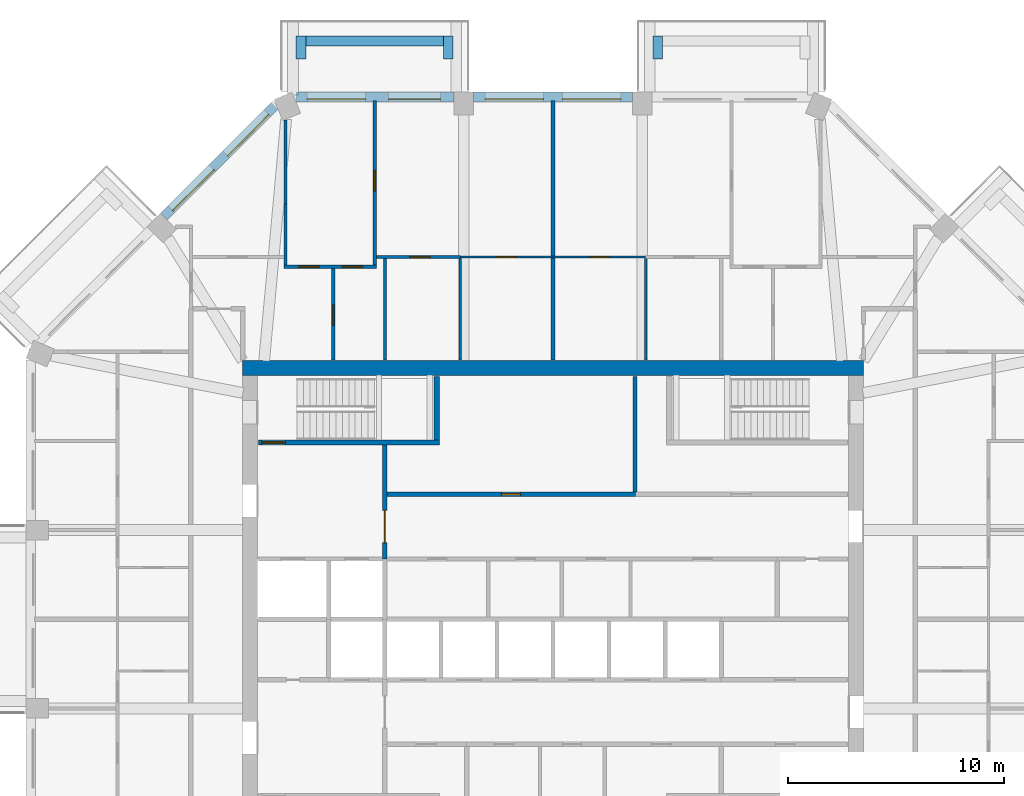
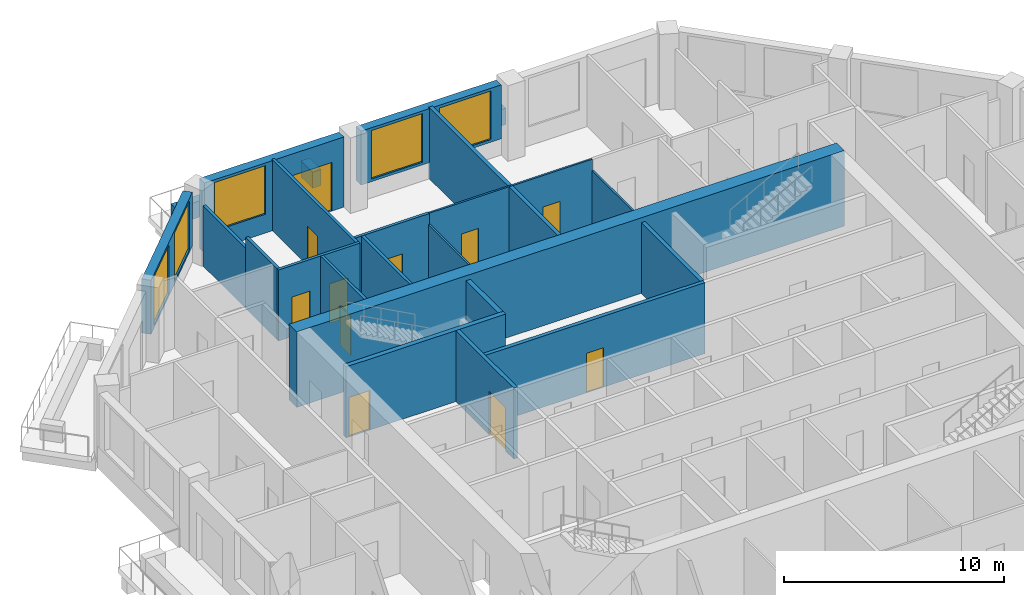
# One storey, part 8 of 12: 25 walls, 11 doors, 5 windows, 16 openings.
"""IFC4 building model written with IfcOpenShell, lengths in metres."""

from ifc_helpers import new_model, si_unit, direction, frame, frame_2d, origin, place, context, subcontext, project, spatial, rectangle, extrude, material, layer, layer_set, type_object, element, fill, save


model = new_model("IFC4")

# Units and contexts
model_context = context("Model", 3, precision=1e-05, world=origin(), true_north=direction((0.0, 1.0)))
body_context = subcontext(model_context, "Body", "Model", "MODEL_VIEW")
ifc_project = project(units=[si_unit("LENGTHUNIT", "METRE"), si_unit("AREAUNIT", "SQUARE_METRE"), si_unit("VOLUMEUNIT", "CUBIC_METRE"), si_unit("PLANEANGLEUNIT", "RADIAN"), si_unit("MASSUNIT", "GRAM", prefix="KILO")], contexts=[model_context])

# Site, building, storey
site_placement = place(None, origin())
site = spatial("IfcSite", under=ifc_project, at=site_placement, CompositionType="ELEMENT")
building_placement = place(site_placement, origin())
building = spatial("IfcBuilding", under=site, at=building_placement, Name="Msitu Wima Residences", CompositionType="ELEMENT")
storey_placement = place(building_placement, frame((0.0, 0.0, 183.300048828125)))
storey = spatial("IfcBuildingStorey", under=building, at=storey_placement, Name="L42", CompositionType="ELEMENT", Elevation=183.300048828125)

# Walls
ifc_material_1 = material(Name="Facing brick")
ifc_layer_1 = layer(ifc_material_1, 0.06494140625, Name="Facing brick")
ifc_material_2 = material(Name="Concrete C40/50", Category="concrete")
ifc_layer_2 = layer(ifc_material_2, 0.156005859375, Name="Concrete C40/50")
ifc_material_3 = material(Name="Waterproofing membrane")
ifc_layer_3 = layer(ifc_material_3, 0.00390625, Name="Waterproofing membrane")
ifc_material_4 = material(Name="Planting soil and planting")
ifc_layer_4 = layer(ifc_material_4, 0.22509765625, Name="Planting soil and planting")
ifc_layer_set_1 = layer_set([ifc_layer_1, ifc_layer_2, ifc_layer_3, ifc_layer_4], Name="Concrete C40/50")
wall_type_1 = type_object("IfcWallType", Name="Balcony planter PLANTER PL450", PredefinedType="USERDEFINED", material=ifc_layer_set_1)
wall_1_placement = place(storey_placement, frame((4.8623046875, 26.0, 0.0), z_axis=(0.0, 0.0, 1.0), x_axis=(0.0, 1.0, 0.0)))
element("IfcWall", 1, at=wall_1_placement, inside=storey, type_object=wall_type_1, Name="Balcony planter N0 L42", ObjectType="PLANTER", PredefinedType="USERDEFINED", context=body_context, shape_type="SweptSolid", body=[
    extrude(rectangle(XDim=1.050048828125, YDim=0.449951171875, at=frame_2d((0.52490234375, 0.0))), origin(), (0.0, 0.0, 1.0), 0.89990234375),
])
wall_2_placement = place(storey_placement, frame((-5.087158203125, 26.824951171875, 0.0), z_axis=(0.0, 0.0, 1.0), x_axis=(-1.0, 0.0, 0.0)))
element("IfcWall", 2, at=wall_2_placement, inside=storey, type_object=wall_type_1, Name="Balcony planter N2 L42", ObjectType="PLANTER", PredefinedType="USERDEFINED", context=body_context, shape_type="SweptSolid", body=[
    extrude(rectangle(XDim=6.37451171875, YDim=0.449951171875, at=frame_2d((3.187255859375, 0.0))), origin(), (0.0, 0.0, 1.0), 0.89990234375),
])
for number, where, z_axis, x_axis, name in (
    (3, (-4.8623046875, 26.0, 0.0), (0.0, 0.0, 1.0), (0.0, 1.0, 0.0), "Balcony planter N2 L42"),
    (4, (-11.686767578125, 26.0, 0.0), (0.0, 0.0, 1.0), (0.0, 1.0, 0.0), "Balcony planter N2 L42"),
):
    element("IfcWall", number, at=place(storey_placement, frame(where, z_axis=z_axis, x_axis=x_axis)), inside=storey, type_object=wall_type_1, Name=name, ObjectType="PLANTER", PredefinedType="USERDEFINED", context=body_context, shape_type="SweptSolid", body=[
        extrude(rectangle(XDim=1.050048828125, YDim=0.449951171875, at=frame_2d((0.52490234375, 0.0))), origin(), (0.0, 0.0, 1.0), 0.89990234375),
    ])

# Wall, openings, windows
ifc_material_5 = material(Name="Brick (red buff mix)", Category="masonry")
ifc_layer_5 = layer(ifc_material_5, 0.449951171875)
ifc_layer_set_2 = layer_set([ifc_layer_5], Name="Brick (red buff mix)")
wall_type_2 = type_object("IfcWallType", Name="Brick infill wall BW450", PredefinedType="SOLIDWALL", material=ifc_layer_set_2)
wall_3_placement = place(storey_placement, frame((3.687255859375, 24.22509765625, 0.89990234375), z_axis=(0.0, 0.0, 1.0), x_axis=(-1.0, 0.0, 0.0)))
wall_3 = element("IfcWall", 5, at=wall_3_placement, inside=storey, type_object=wall_type_2, Name="Brick infill wall L42 N1", PredefinedType="SOLIDWALL", context=body_context, shape_type="SweptSolid", body=[
    extrude(rectangle(XDim=7.37451171875, YDim=0.449951171875, at=frame_2d((3.687255859375, 0.0))), origin(), (0.0, 0.0, 1.0), 3.0),
])
opening_1_placement = place(wall_3_placement, frame((0.537353515625, 0.0, 0.14990234375)))
opening_1 = element("IfcOpeningElement", 6, at=opening_1_placement, cuts=wall_3, Name="Opening W40-42.007", PredefinedType="OPENING", context=body_context, shape_type="SweptSolid", body=[
    extrude(rectangle(XDim=2.699951171875, YDim=2.699951171875, at=frame_2d((1.35009765625, 1.35009765625))), frame((0.0, 0.23486328125, 0.0), z_axis=(0.0, -1.0, 0.0), x_axis=(1.0, 0.0, 0.0)), (0.0, 0.0, 1.0), 0.469970703125),
])
opening_2_placement = place(wall_3_placement, frame((4.13720703125, 0.0, 0.14990234375)))
opening_2 = element("IfcOpeningElement", 7, at=opening_2_placement, cuts=wall_3, Name="Opening W40-42.008", PredefinedType="OPENING", context=body_context, shape_type="SweptSolid", body=[
    extrude(rectangle(XDim=2.699951171875, YDim=2.699951171875, at=frame_2d((1.35009765625, 1.35009765625))), frame((0.0, 0.23486328125, 0.0), z_axis=(0.0, -1.0, 0.0), x_axis=(1.0, 0.0, 0.0)), (0.0, 0.0, 1.0), 0.469970703125),
])
ifc_material_6 = material(Name="Anodised aluminium, bronze finish, clear low-emissivity double glazing", Category="aluminium")
window_type = type_object("IfcWindowType", Name="Window W2700x2700", PartitioningType="DOUBLE_PANEL_VERTICAL", PredefinedType="WINDOW", material=ifc_material_6)
window_1_placement = place(opening_1_placement, origin())
window_1 = element("IfcWindow", 8, at=window_1_placement, inside=storey, type_object=window_type, Name="Window L42 N1.1", OverallHeight=2.699951171875, OverallWidth=2.699951171875, PartitioningType="SINGLE_PANEL", PredefinedType="WINDOW", context=body_context, shape_type="SweptSolid", body=[
    extrude(rectangle(XDim=2.699951171875, YDim=2.699951171875, at=frame_2d((1.35009765625, 1.35009765625))), frame((0.0, 0.135009765625, 0.0), z_axis=(0.0, -1.0, 0.0), x_axis=(1.0, 0.0, 0.0)), (0.0, 0.0, 1.0), 0.06005859375),
])
fill(opening_1, window_1)
window_2_placement = place(opening_2_placement, origin())
window_2 = element("IfcWindow", 9, at=window_2_placement, inside=storey, type_object=window_type, Name="Window L42 N1.2", OverallHeight=2.699951171875, OverallWidth=2.699951171875, PartitioningType="SINGLE_PANEL", PredefinedType="WINDOW", context=body_context, shape_type="SweptSolid", body=[
    extrude(rectangle(XDim=2.699951171875, YDim=2.699951171875, at=frame_2d((1.35009765625, 1.35009765625))), frame((0.0, 0.135009765625, 0.0), z_axis=(0.0, -1.0, 0.0), x_axis=(1.0, 0.0, 0.0)), (0.0, 0.0, 1.0), 0.06005859375),
])
fill(opening_2, window_2)

# Wall, openings, door, window
wall_4_placement = place(storey_placement, frame((-4.587158203125, 24.22509765625, 0.0), z_axis=(0.0, 0.0, 1.0), x_axis=(-1.0, 0.0, 0.0)))
wall_4 = element("IfcWall", 10, at=wall_4_placement, inside=storey, type_object=wall_type_2, Name="Brick infill wall L42 N2", PredefinedType="SOLIDWALL", context=body_context, shape_type="SweptSolid", body=[
    extrude(rectangle(XDim=7.337646484375, YDim=0.449951171875, at=frame_2d((3.6689453125, 0.0))), origin(), (0.0, 0.0, 1.0), 3.89990234375),
])
opening_3_placement = place(wall_4_placement, frame((0.63427734375, 0.0, 0.0)))
opening_3 = element("IfcOpeningElement", 11, at=opening_3_placement, cuts=wall_4, Name="Opening D40-42.003", PredefinedType="OPENING", context=body_context, shape_type="SweptSolid", body=[
    extrude(rectangle(XDim=2.39990234375, YDim=2.699951171875, at=frame_2d((1.199951171875, 1.35009765625))), frame((0.0, 0.23486328125, 0.0), z_axis=(0.0, -1.0, 0.0), x_axis=(1.0, 0.0, 0.0)), (0.0, 0.0, 1.0), 0.469970703125),
])
opening_4_placement = place(wall_4_placement, frame((4.11865234375, 0.0, 1.050048828125)))
opening_4 = element("IfcOpeningElement", 12, at=opening_4_placement, cuts=wall_4, Name="Opening W40-42.009", PredefinedType="OPENING", context=body_context, shape_type="SweptSolid", body=[
    extrude(rectangle(XDim=2.699951171875, YDim=2.699951171875, at=frame_2d((1.35009765625, 1.35009765625))), frame((0.0, 0.23486328125, 0.0), z_axis=(0.0, -1.0, 0.0), x_axis=(1.0, 0.0, 0.0)), (0.0, 0.0, 1.0), 0.469970703125),
])
door_type_1 = type_object("IfcDoorType", Name="Balcony door D2400x2700", OperationType="SLIDING_TO_LEFT", PredefinedType="DOOR", material=ifc_material_6)
door_1_placement = place(opening_3_placement, origin())
door_1 = element("IfcDoor", 13, at=door_1_placement, inside=storey, type_object=door_type_1, Name="Balcony door L42 N2", OperationType="SINGLE_SWING_LEFT", OverallHeight=2.699951171875, OverallWidth=2.39990234375, PredefinedType="DOOR", context=body_context, shape_type="SweptSolid", body=[
    extrude(rectangle(XDim=2.39990234375, YDim=2.699951171875, at=frame_2d((1.199951171875, 1.35009765625))), frame((0.0, 0.1298828125, 0.0), z_axis=(0.0, -1.0, 0.0), x_axis=(1.0, 0.0, 0.0)), (0.0, 0.0, 1.0), 0.050048828125),
])
fill(opening_3, door_1)
window_3_placement = place(opening_4_placement, origin())
window_3 = element("IfcWindow", 14, at=window_3_placement, inside=storey, type_object=window_type, Name="Window L42 N2.2", OverallHeight=2.699951171875, OverallWidth=2.699951171875, PartitioningType="SINGLE_PANEL", PredefinedType="WINDOW", context=body_context, shape_type="SweptSolid", body=[
    extrude(rectangle(XDim=2.699951171875, YDim=2.699951171875, at=frame_2d((1.35009765625, 1.35009765625))), frame((0.0, 0.135009765625, 0.0), z_axis=(0.0, -1.0, 0.0), x_axis=(1.0, 0.0, 0.0)), (0.0, 0.0, 1.0), 0.06005859375),
])
fill(opening_4, window_3)

# Wall, openings, windows
wall_5_placement = place(storey_placement, frame((-12.915283203125, 23.814697265625, 0.89990234375), z_axis=(0.0, 0.0, 1.0), x_axis=(-0.707106781187, -0.707106781187, 0.0)))
wall_5 = element("IfcWall", 15, at=wall_5_placement, inside=storey, type_object=wall_type_2, Name="Brick infill wall L42 NW0", PredefinedType="SOLIDWALL", context=body_context, shape_type="SweptSolid", body=[
    extrude(rectangle(XDim=7.257080078125, YDim=0.449951171875, at=frame_2d((3.62841796875, 0.0))), origin(), (0.0, 0.0, 1.0), 3.0),
])
opening_5_placement = place(wall_5_placement, frame((0.478515625, 0.0, 0.14990234375)))
opening_5 = element("IfcOpeningElement", 16, at=opening_5_placement, cuts=wall_5, Name="Opening W40-42.013", PredefinedType="OPENING", context=body_context, shape_type="SweptSolid", body=[
    extrude(rectangle(XDim=2.699951171875, YDim=2.699951171875, at=frame_2d((1.35009765625, 1.35009765625))), frame((0.0, 0.23486328125, 0.0), z_axis=(0.0, -1.0, 0.0), x_axis=(1.0, 0.0, 0.0)), (0.0, 0.0, 1.0), 0.469970703125),
])
opening_6_placement = place(wall_5_placement, frame((4.07861328125, 0.0, 0.14990234375)))
opening_6 = element("IfcOpeningElement", 17, at=opening_6_placement, cuts=wall_5, Name="Opening W40-42.014", PredefinedType="OPENING", context=body_context, shape_type="SweptSolid", body=[
    extrude(rectangle(XDim=2.699951171875, YDim=2.699951171875, at=frame_2d((1.35009765625, 1.35009765625))), frame((0.0, 0.23486328125, 0.0), z_axis=(0.0, -1.0, 0.0), x_axis=(1.0, 0.0, 0.0)), (0.0, 0.0, 1.0), 0.469970703125),
])
window_4_placement = place(opening_5_placement, origin())
window_4 = element("IfcWindow", 18, at=window_4_placement, inside=storey, type_object=window_type, Name="Window L42 NW0.1", OverallHeight=2.699951171875, OverallWidth=2.699951171875, PartitioningType="SINGLE_PANEL", PredefinedType="WINDOW", context=body_context, shape_type="SweptSolid", body=[
    extrude(rectangle(XDim=2.699951171875, YDim=2.699951171875, at=frame_2d((1.35009765625, 1.35009765625))), frame((0.0, 0.135009765625, 0.0), z_axis=(0.0, -1.0, 0.0), x_axis=(1.0, 0.0, 0.0)), (0.0, 0.0, 1.0), 0.06005859375),
])
fill(opening_5, window_4)
window_5_placement = place(opening_6_placement, origin())
window_5 = element("IfcWindow", 19, at=window_5_placement, inside=storey, type_object=window_type, Name="Window L42 NW0.2", OverallHeight=2.699951171875, OverallWidth=2.699951171875, PartitioningType="SINGLE_PANEL", PredefinedType="WINDOW", context=body_context, shape_type="SweptSolid", body=[
    extrude(rectangle(XDim=2.699951171875, YDim=2.699951171875, at=frame_2d((1.35009765625, 1.35009765625))), frame((0.0, 0.135009765625, 0.0), z_axis=(0.0, -1.0, 0.0), x_axis=(1.0, 0.0, 0.0)), (0.0, 0.0, 1.0), 0.06005859375),
])
fill(opening_6, window_5)

# Wall
ifc_material_7 = material(Name="Concrete C60/75", Category="concrete")
ifc_layer_6 = layer(ifc_material_7, 0.699951171875)
ifc_layer_set_3 = layer_set([ifc_layer_6], Name="Concrete C60/75")
wall_type_3 = type_object("IfcWallType", Name="Core wall CW700 C60/75", PredefinedType="SHEAR", material=ifc_layer_set_3)
wall_6_placement = place(storey_placement, frame((-14.39990234375, 11.64990234375, 0.0), z_axis=(0.0, 0.0, 1.0), x_axis=(1.0, 0.0, 0.0)))
element("IfcWall", 20, at=wall_6_placement, inside=storey, type_object=wall_type_3, Name="Core wall", PredefinedType="SHEAR", context=body_context, shape_type="SweptSolid", body=[
    extrude(rectangle(XDim=28.7998046875, YDim=0.699951171875, at=frame_2d((14.39990234375, 0.0))), origin(), (0.0, 0.0, 1.0), 4.199951171875),
])

# Wall, opening, door
ifc_material_8 = material(Name="Plaster")
ifc_layer_7 = layer(ifc_material_8, 0.011962890625, Name="Plaster")
ifc_material_9 = material(Name="Concrete blockwork", Category="masonry")
ifc_layer_8 = layer(ifc_material_9, 0.176025390625, Name="Concrete blockwork")
ifc_layer_9 = layer(ifc_material_8, 0.011962890625, Name="Plaster")
ifc_layer_set_4 = layer_set([ifc_layer_7, ifc_layer_8, ifc_layer_9], Name="Concrete blockwork")
wall_type_4 = type_object("IfcWallType", Name="Corridor wall FW200", PredefinedType="PARTITIONING", material=ifc_layer_set_4)
wall_7_placement = place(storey_placement, frame((-7.800048828125, 2.800048828125, 0.0), z_axis=(0.0, 0.0, 1.0), x_axis=(0.0, 1.0, 0.0)))
wall_7 = element("IfcWall", 21, at=wall_7_placement, inside=storey, type_object=wall_type_4, Name="Corridor wall", PredefinedType="PARTITIONING", context=body_context, shape_type="SweptSolid", body=[
    extrude(rectangle(XDim=5.27490234375, YDim=0.199951171875, at=frame_2d((2.637451171875, 0.0))), origin(), (0.0, 0.0, 1.0), 3.949951171875),
])
opening_7_placement = place(wall_7_placement, frame((0.75, 0.0, 0.0)))
opening_7 = element("IfcOpeningElement", 22, at=opening_7_placement, cuts=wall_7, Name="Opening D40-42.069", PredefinedType="OPENING", context=body_context, shape_type="SweptSolid", body=[
    extrude(rectangle(XDim=1.5, YDim=2.39990234375, at=frame_2d((0.75, 1.199951171875))), frame((0.0, 0.10986328125, 0.0), z_axis=(0.0, -1.0, 0.0), x_axis=(1.0, 0.0, 0.0)), (0.0, 0.0, 1.0), 0.219970703125),
])
ifc_material_10 = material(Name="Steel framed glazed door, fire resisting", Category="steel")
door_type_2 = type_object("IfcDoorType", Name="Lobby door D07 1500x2400", OperationType="DOUBLE_DOOR_SINGLE_SWING", PredefinedType="DOOR", material=ifc_material_10)
door_2_placement = place(opening_7_placement, origin())
door_2 = element("IfcDoor", 23, at=door_2_placement, inside=storey, type_object=door_type_2, Name="Lobby door", OperationType="DOUBLE_DOOR_SINGLE_SWING", OverallHeight=2.39990234375, OverallWidth=1.5, PredefinedType="DOOR", context=body_context, shape_type="SweptSolid", body=[
    extrude(rectangle(XDim=1.5, YDim=2.39990234375, at=frame_2d((0.75, 1.199951171875))), frame((0.0, 0.02490234375, 0.0), z_axis=(0.0, -1.0, 0.0), x_axis=(1.0, 0.0, 0.0)), (0.0, 0.0, 1.0), 0.050048828125),
])
fill(opening_7, door_2)

wall_8_placement = place(storey_placement, frame((-7.699951171875, 5.800048828125, 0.0), z_axis=(0.0, 0.0, 1.0), x_axis=(1.0, 0.0, 0.0)))
wall_8 = element("IfcWall", 24, at=wall_8_placement, inside=storey, type_object=wall_type_4, Name="Corridor wall", PredefinedType="PARTITIONING", context=body_context, shape_type="SweptSolid", body=[
    extrude(rectangle(XDim=11.52001953125, YDim=0.199951171875, at=frame_2d((5.760009765625, 0.0))), origin(), (0.0, 0.0, 1.0), 3.949951171875),
])
opening_8_placement = place(wall_8_placement, frame((5.300048828125, 0.0, 0.0)))
opening_8 = element("IfcOpeningElement", 25, at=opening_8_placement, cuts=wall_8, Name="Opening D40-42.072", PredefinedType="OPENING", context=body_context, shape_type="SweptSolid", body=[
    extrude(rectangle(XDim=0.89990234375, YDim=2.199951171875, at=frame_2d((0.449951171875, 1.10009765625))), frame((0.0, 0.10986328125, 0.0), z_axis=(0.0, -1.0, 0.0), x_axis=(1.0, 0.0, 0.0)), (0.0, 0.0, 1.0), 0.219970703125),
])
ifc_material_11 = material(Name="Timber flush door", Category="wood")
door_type_3 = type_object("IfcDoorType", Name="Service door D05 900x2200", OperationType="SINGLE_SWING_LEFT", PredefinedType="DOOR", material=ifc_material_11)
door_3_placement = place(opening_8_placement, origin())
door_3 = element("IfcDoor", 26, at=door_3_placement, inside=storey, type_object=door_type_3, Name="Service door", OperationType="SINGLE_SWING_LEFT", OverallHeight=2.199951171875, OverallWidth=0.89990234375, PredefinedType="DOOR", context=body_context, shape_type="SweptSolid", body=[
    extrude(rectangle(XDim=0.89990234375, YDim=2.199951171875, at=frame_2d((0.449951171875, 1.10009765625))), frame((0.0, 0.02490234375, 0.0), z_axis=(0.0, -1.0, 0.0), x_axis=(1.0, 0.0, 0.0)), (0.0, 0.0, 1.0), 0.050048828125),
])
fill(opening_8, door_3)

# Walls
ifc_layer_10 = layer(ifc_material_8, 0.011962890625, Name="Plaster")
ifc_layer_11 = layer(ifc_material_9, 0.1259765625, Name="Concrete blockwork")
ifc_layer_12 = layer(ifc_material_8, 0.011962890625, Name="Plaster")
ifc_layer_set_5 = layer_set([ifc_layer_10, ifc_layer_11, ifc_layer_12], Name="Concrete blockwork")
wall_type_5 = type_object("IfcWallType", Name="Partition PW150", PredefinedType="PARTITIONING", material=ifc_layer_set_5)
wall_9_placement = place(storey_placement, frame((-12.411865234375, 16.425048828125, 0.0), z_axis=(0.0, 0.0, 1.0), x_axis=(0.0, 1.0, 0.0)))
element("IfcWall", 27, at=wall_9_placement, inside=storey, type_object=wall_type_5, Name="Partition", PredefinedType="PARTITIONING", context=body_context, shape_type="SweptSolid", body=[
    extrude(rectangle(XDim=2.845458984375, YDim=0.14990234375, at=frame_2d((1.4228515625, 0.0))), origin(), (0.0, 0.0, 1.0), 3.949951171875),
])
wall_10_placement = place(storey_placement, frame((-12.411865234375, 19.2705078125, 0.0), z_axis=(0.0, 0.0, 1.0), x_axis=(0.0, 1.0, 0.0)))
element("IfcWall", 28, at=wall_10_placement, inside=storey, type_object=wall_type_5, Name="Partition", PredefinedType="PARTITIONING", context=body_context, shape_type="SweptSolid", body=[
    extrude(rectangle(XDim=3.8984375, YDim=0.14990234375, at=frame_2d((1.94921875, 0.0))), origin(), (0.0, 0.0, 1.0), 3.349853515625),
])

# Wall, openings, doors
wall_11_placement = place(storey_placement, frame((-12.48681640625, 16.35009765625, 0.0), z_axis=(0.0, 0.0, 1.0), x_axis=(1.0, 0.0, 0.0)))
wall_11 = element("IfcWall", 29, at=wall_11_placement, inside=storey, type_object=wall_type_5, Name="Partition", PredefinedType="PARTITIONING", context=body_context, shape_type="SweptSolid", body=[
    extrude(rectangle(XDim=4.287353515625, YDim=0.14990234375, at=frame_2d((2.1435546875, 0.0))), origin(), (0.0, 0.0, 1.0), 3.949951171875),
])
opening_9_placement = place(wall_11_placement, frame((0.699951171875, 0.0, 0.0)))
opening_9 = element("IfcOpeningElement", 30, at=opening_9_placement, cuts=wall_11, Name="Opening D40-42.031", PredefinedType="OPENING", context=body_context, shape_type="SweptSolid", body=[
    extrude(rectangle(XDim=0.949951171875, YDim=2.199951171875, at=frame_2d((0.47509765625, 1.10009765625))), frame((0.0, 0.0849609375, 0.0), z_axis=(0.0, -1.0, 0.0), x_axis=(1.0, 0.0, 0.0)), (0.0, 0.0, 1.0), 0.169921875),
])
opening_10_placement = place(wall_11_placement, frame((2.699951171875, 0.0, 0.0)))
opening_10 = element("IfcOpeningElement", 31, at=opening_10_placement, cuts=wall_11, Name="Opening D40-42.030", PredefinedType="OPENING", context=body_context, shape_type="SweptSolid", body=[
    extrude(rectangle(XDim=0.949951171875, YDim=2.199951171875, at=frame_2d((0.47509765625, 1.10009765625))), frame((0.0, 0.0849609375, 0.0), z_axis=(0.0, -1.0, 0.0), x_axis=(1.0, 0.0, 0.0)), (0.0, 0.0, 1.0), 0.169921875),
])
door_type_4 = type_object("IfcDoorType", Name="Room door D12 950x2200", OperationType="SINGLE_SWING_LEFT", PredefinedType="DOOR", material=ifc_material_11)
door_4_placement = place(opening_9_placement, origin())
door_4 = element("IfcDoor", 32, at=door_4_placement, inside=storey, type_object=door_type_4, Name="Room door", OperationType="SINGLE_SWING_LEFT", OverallHeight=2.199951171875, OverallWidth=0.949951171875, PredefinedType="DOOR", context=body_context, shape_type="SweptSolid", body=[
    extrude(rectangle(XDim=0.949951171875, YDim=2.199951171875, at=frame_2d((0.47509765625, 1.10009765625))), frame((0.0, 0.02490234375, 0.0), z_axis=(0.0, -1.0, 0.0), x_axis=(1.0, 0.0, 0.0)), (0.0, 0.0, 1.0), 0.050048828125),
])
fill(opening_9, door_4)
door_5_placement = place(opening_10_placement, origin())
door_5 = element("IfcDoor", 33, at=door_5_placement, inside=storey, type_object=door_type_4, Name="Room door", OperationType="SINGLE_SWING_RIGHT", OverallHeight=2.199951171875, OverallWidth=0.949951171875, PredefinedType="DOOR", context=body_context, shape_type="SweptSolid", body=[
    extrude(rectangle(XDim=0.949951171875, YDim=2.199951171875, at=frame_2d((0.47509765625, 1.10009765625))), frame((0.0, 0.02490234375, 0.0), z_axis=(0.0, -1.0, 0.0), x_axis=(1.0, 0.0, 0.0)), (0.0, 0.0, 1.0), 0.050048828125),
])
fill(opening_10, door_5)

# Wall, opening, door
wall_12_placement = place(storey_placement, frame((-10.199951171875, 12.030029296875, 0.0), z_axis=(0.0, 0.0, 1.0), x_axis=(0.0, 1.0, 0.0)))
wall_12 = element("IfcWall", 34, at=wall_12_placement, inside=storey, type_object=wall_type_5, Name="Partition", PredefinedType="PARTITIONING", context=body_context, shape_type="SweptSolid", body=[
    extrude(rectangle(XDim=4.244873046875, YDim=0.14990234375, at=frame_2d((2.12255859375, 0.0))), origin(), (0.0, 0.0, 1.0), 3.949951171875),
])
opening_11_placement = place(wall_12_placement, frame((1.60009765625, 0.0, 0.0)))
opening_11 = element("IfcOpeningElement", 35, at=opening_11_placement, cuts=wall_12, Name="Opening D40-42.026", PredefinedType="OPENING", context=body_context, shape_type="SweptSolid", body=[
    extrude(rectangle(XDim=0.949951171875, YDim=2.199951171875, at=frame_2d((0.47509765625, 1.10009765625))), frame((0.0, 0.0849609375, 0.0), z_axis=(0.0, -1.0, 0.0), x_axis=(1.0, 0.0, 0.0)), (0.0, 0.0, 1.0), 0.169921875),
])
door_6_placement = place(opening_11_placement, origin())
door_6 = element("IfcDoor", 36, at=door_6_placement, inside=storey, type_object=door_type_4, Name="Room door", OperationType="SINGLE_SWING_RIGHT", OverallHeight=2.199951171875, OverallWidth=0.949951171875, PredefinedType="DOOR", context=body_context, shape_type="SweptSolid", body=[
    extrude(rectangle(XDim=0.949951171875, YDim=2.199951171875, at=frame_2d((0.47509765625, 1.10009765625))), frame((0.0, 0.02490234375, 0.0), z_axis=(0.0, -1.0, 0.0), x_axis=(1.0, 0.0, 0.0)), (0.0, 0.0, 1.0), 0.050048828125),
])
fill(opening_11, door_6)

wall_13_placement = place(storey_placement, frame((-8.2744140625, 16.425048828125, 0.0), z_axis=(0.0, 0.0, 1.0), x_axis=(0.0, 1.0, 0.0)))
wall_13 = element("IfcWall", 37, at=wall_13_placement, inside=storey, type_object=wall_type_5, Name="Partition", PredefinedType="PARTITIONING", context=body_context, shape_type="SweptSolid", body=[
    extrude(rectangle(XDim=7.6298828125, YDim=0.14990234375, at=frame_2d((3.81494140625, 0.0))), origin(), (0.0, 0.0, 1.0), 3.949951171875),
])
opening_12_placement = place(wall_13_placement, frame((3.449951171875, 0.0, 0.0)))
opening_12 = element("IfcOpeningElement", 38, at=opening_12_placement, cuts=wall_13, Name="Opening D40-42.034", PredefinedType="OPENING", context=body_context, shape_type="SweptSolid", body=[
    extrude(rectangle(XDim=0.949951171875, YDim=2.199951171875, at=frame_2d((0.47509765625, 1.10009765625))), frame((0.0, 0.0849609375, 0.0), z_axis=(0.0, -1.0, 0.0), x_axis=(1.0, 0.0, 0.0)), (0.0, 0.0, 1.0), 0.169921875),
])
door_7_placement = place(opening_12_placement, origin())
door_7 = element("IfcDoor", 39, at=door_7_placement, inside=storey, type_object=door_type_4, Name="Room door", OperationType="SINGLE_SWING_LEFT", OverallHeight=2.199951171875, OverallWidth=0.949951171875, PredefinedType="DOOR", context=body_context, shape_type="SweptSolid", body=[
    extrude(rectangle(XDim=0.949951171875, YDim=2.199951171875, at=frame_2d((0.47509765625, 1.10009765625))), frame((0.0, 0.02490234375, 0.0), z_axis=(0.0, -1.0, 0.0), x_axis=(1.0, 0.0, 0.0)), (0.0, 0.0, 1.0), 0.050048828125),
])
fill(opening_12, door_7)

wall_14_placement = place(storey_placement, frame((-8.199462890625, 16.800048828125, 0.0), z_axis=(0.0, 0.0, 1.0), x_axis=(1.0, 0.0, 0.0)))
wall_14 = element("IfcWall", 40, at=wall_14_placement, inside=storey, type_object=wall_type_5, Name="Partition", PredefinedType="PARTITIONING", context=body_context, shape_type="SweptSolid", body=[
    extrude(rectangle(XDim=3.8994140625, YDim=0.14990234375, at=frame_2d((1.94970703125, 0.0))), origin(), (0.0, 0.0, 1.0), 3.949951171875),
])
opening_13_placement = place(wall_14_placement, frame((1.550048828125, 0.0, 0.0)))
opening_13 = element("IfcOpeningElement", 41, at=opening_13_placement, cuts=wall_14, Name="Opening D40-42.028", PredefinedType="OPENING", context=body_context, shape_type="SweptSolid", body=[
    extrude(rectangle(XDim=0.949951171875, YDim=2.199951171875, at=frame_2d((0.47509765625, 1.10009765625))), frame((0.0, 0.0849609375, 0.0), z_axis=(0.0, -1.0, 0.0), x_axis=(1.0, 0.0, 0.0)), (0.0, 0.0, 1.0), 0.169921875),
])
door_8_placement = place(opening_13_placement, origin())
door_8 = element("IfcDoor", 42, at=door_8_placement, inside=storey, type_object=door_type_4, Name="Room door", OperationType="SINGLE_SWING_LEFT", OverallHeight=2.199951171875, OverallWidth=0.949951171875, PredefinedType="DOOR", context=body_context, shape_type="SweptSolid", body=[
    extrude(rectangle(XDim=0.949951171875, YDim=2.199951171875, at=frame_2d((0.47509765625, 1.10009765625))), frame((0.0, 0.02490234375, 0.0), z_axis=(0.0, -1.0, 0.0), x_axis=(1.0, 0.0, 0.0)), (0.0, 0.0, 1.0), 0.050048828125),
])
fill(opening_13, door_8)

# Walls
wall_15_placement = place(storey_placement, frame((-7.800048828125, 12.030029296875, 0.0), z_axis=(0.0, 0.0, 1.0), x_axis=(0.0, 1.0, 0.0)))
element("IfcWall", 43, at=wall_15_placement, inside=storey, type_object=wall_type_5, Name="Partition", PredefinedType="PARTITIONING", context=body_context, shape_type="SweptSolid", body=[
    extrude(rectangle(XDim=4.695068359375, YDim=0.14990234375, at=frame_2d((2.34765625, 0.0))), origin(), (0.0, 0.0, 1.0), 3.949951171875),
])
ifc_layer_13 = layer(ifc_material_8, 0.011962890625, Name="Plaster")
ifc_material_12 = material(Name="Dense concrete blockwork", Category="masonry")
ifc_layer_14 = layer(ifc_material_12, 0.176025390625, Name="Dense concrete blockwork")
ifc_layer_15 = layer(ifc_material_8, 0.011962890625, Name="Plaster")
ifc_layer_set_6 = layer_set([ifc_layer_13, ifc_layer_14, ifc_layer_15], Name="Dense concrete blockwork")
wall_type_6 = type_object("IfcWallType", Name="Party wall PW200", PredefinedType="PARTITIONING", material=ifc_layer_set_6)
wall_16_placement = place(storey_placement, frame((0.0, 12.030029296875, 0.0), z_axis=(0.0, 0.0, 1.0), x_axis=(0.0, 1.0, 0.0)))
element("IfcWall", 44, at=wall_16_placement, inside=storey, type_object=wall_type_6, Name="Party wall", PredefinedType="PARTITIONING", context=body_context, shape_type="SweptSolid", body=[
    extrude(rectangle(XDim=12.02490234375, YDim=0.199951171875, at=frame_2d((6.012451171875, 0.0))), origin(), (0.0, 0.0, 1.0), 3.949951171875),
])
ifc_layer_16 = layer(ifc_material_8, 0.011962890625, Name="Plaster")
ifc_material_13 = material(Name="Reinforced concrete blockwork", Category="masonry")
ifc_layer_17 = layer(ifc_material_13, 0.176025390625, Name="Reinforced concrete blockwork")
ifc_layer_18 = layer(ifc_material_8, 0.011962890625, Name="Plaster")
ifc_layer_set_7 = layer_set([ifc_layer_16, ifc_layer_17, ifc_layer_18], Name="Reinforced concrete blockwork")
wall_type_7 = type_object("IfcWallType", Name="Plant and riser wall PL200", PredefinedType="PARTITIONING", material=ifc_layer_set_7)
wall_17_placement = place(storey_placement, frame((3.800048828125, 5.89990234375, 0.0), z_axis=(0.0, 0.0, 1.0), x_axis=(0.0, 1.0, 0.0)))
element("IfcWall", 45, at=wall_17_placement, inside=storey, type_object=wall_type_7, Name="Plant and riser wall", PredefinedType="PARTITIONING", context=body_context, shape_type="SweptSolid", body=[
    extrude(rectangle(XDim=5.3701171875, YDim=0.199951171875, at=frame_2d((2.68505859375, 0.0))), origin(), (0.0, 0.0, 1.0), 3.949951171875),
])

# Wall, opening, door
ifc_material_14 = material(Name="Concrete C50/60", Category="concrete")
ifc_layer_19 = layer(ifc_material_14, 0.25)
ifc_layer_set_8 = layer_set([ifc_layer_19], Name="Concrete C50/60")
wall_type_8 = type_object("IfcWallType", Name="Stair enclosure wall SW250", PredefinedType="SHEAR", material=ifc_layer_set_8)
wall_18_placement = place(storey_placement, frame((-13.669921875, 8.199951171875, 0.0), z_axis=(0.0, 0.0, 1.0), x_axis=(1.0, 0.0, 0.0)))
wall_18 = element("IfcWall", 46, at=wall_18_placement, inside=storey, type_object=wall_type_8, Name="Stair enclosure wall", PredefinedType="SHEAR", context=body_context, shape_type="SweptSolid", body=[
    extrude(rectangle(XDim=8.39501953125, YDim=0.25, at=frame_2d((4.197509765625, 0.0))), origin(), (0.0, 0.0, 1.0), 3.949951171875),
])
opening_14_placement = place(wall_18_placement, frame((0.14990234375, 0.0, 0.0)))
opening_14 = element("IfcOpeningElement", 47, at=opening_14_placement, cuts=wall_18, Name="Opening D40-42.088", PredefinedType="OPENING", context=body_context, shape_type="SweptSolid", body=[
    extrude(rectangle(XDim=1.10009765625, YDim=2.199951171875, at=frame_2d((0.550048828125, 1.10009765625))), frame((0.0, 0.135009765625, 0.0), z_axis=(0.0, -1.0, 0.0), x_axis=(1.0, 0.0, 0.0)), (0.0, 0.0, 1.0), 0.27001953125),
])
ifc_material_15 = material(Name="Steel door, fire resisting, panic bar", Category="steel")
door_type_5 = type_object("IfcDoorType", Name="Stair door D06 1100x2200", OperationType="SINGLE_SWING_LEFT", PredefinedType="DOOR", material=ifc_material_15)
door_9_placement = place(opening_14_placement, origin())
door_9 = element("IfcDoor", 48, at=door_9_placement, inside=storey, type_object=door_type_5, Name="Stair door", OperationType="SINGLE_SWING_LEFT", OverallHeight=2.199951171875, OverallWidth=1.10009765625, PredefinedType="DOOR", context=body_context, shape_type="SweptSolid", body=[
    extrude(rectangle(XDim=1.10009765625, YDim=2.199951171875, at=frame_2d((0.550048828125, 1.10009765625))), frame((0.0, 0.02490234375, 0.0), z_axis=(0.0, -1.0, 0.0), x_axis=(1.0, 0.0, 0.0)), (0.0, 0.0, 1.0), 0.050048828125),
])
fill(opening_14, door_9)

# Walls
wall_19_placement = place(storey_placement, frame((-5.39990234375, 8.324951171875, 0.0), z_axis=(0.0, 0.0, 1.0), x_axis=(0.0, 1.0, 0.0)))
element("IfcWall", 49, at=wall_19_placement, inside=storey, type_object=wall_type_8, Name="Stair enclosure wall", PredefinedType="SHEAR", context=body_context, shape_type="SweptSolid", body=[
    extrude(rectangle(XDim=2.945068359375, YDim=0.25, at=frame_2d((1.47265625, 0.0))), origin(), (0.0, 0.0, 1.0), 3.949951171875),
])
ifc_material_16 = material(Name="Ceramic tiles")
ifc_layer_20 = layer(ifc_material_16, 0.008056640625, Name="Ceramic tiles")
ifc_material_17 = material(Name="Moisture-resistant board")
ifc_layer_21 = layer(ifc_material_17, 0.012451171875, Name="Moisture-resistant board")
ifc_material_18 = material(Name="Light-gauge stud framing with mineral wool")
ifc_layer_22 = layer(ifc_material_18, 0.06689453125, Name="Light-gauge stud framing with mineral wool")
ifc_layer_23 = layer(ifc_material_17, 0.012451171875, Name="Moisture-resistant board")
ifc_layer_set_9 = layer_set([ifc_layer_20, ifc_layer_21, ifc_layer_22, ifc_layer_23], Name="Light-gauge stud framing with mineral wool")
wall_type_9 = type_object("IfcWallType", Name="Wet wall PW100", PredefinedType="PARTITIONING", material=ifc_layer_set_9)
wall_20_placement = place(storey_placement, frame((-4.300048828125, 12.030029296875, 0.0), z_axis=(0.0, 0.0, 1.0), x_axis=(0.0, 1.0, 0.0)))
element("IfcWall", 50, at=wall_20_placement, inside=storey, type_object=wall_type_9, Name="Wet wall", PredefinedType="PARTITIONING", context=body_context, shape_type="SweptSolid", body=[
    extrude(rectangle(XDim=4.695068359375, YDim=0.10009765625, at=frame_2d((2.34765625, 0.0))), origin(), (0.0, 0.0, 1.0), 3.349853515625),
])

# Wall, opening, door
wall_21_placement = place(storey_placement, frame((-4.300048828125, 16.800048828125, 0.0), z_axis=(0.0, 0.0, 1.0), x_axis=(1.0, 0.0, 0.0)))
wall_21 = element("IfcWall", 51, at=wall_21_placement, inside=storey, type_object=wall_type_9, Name="Wet wall", PredefinedType="PARTITIONING", context=body_context, shape_type="SweptSolid", body=[
    extrude(rectangle(XDim=4.300048828125, YDim=0.10009765625, at=frame_2d((2.14990234375, 0.0))), origin(), (0.0, 0.0, 1.0), 3.949951171875),
])
opening_15_placement = place(wall_21_placement, frame((1.699951171875, 0.0, 0.0)))
opening_15 = element("IfcOpeningElement", 52, at=opening_15_placement, cuts=wall_21, Name="Opening D40-42.027", PredefinedType="OPENING", context=body_context, shape_type="SweptSolid", body=[
    extrude(rectangle(XDim=0.89990234375, YDim=2.199951171875, at=frame_2d((0.449951171875, 1.10009765625))), frame((0.0, 0.06005859375, 0.0), z_axis=(0.0, -1.0, 0.0), x_axis=(1.0, 0.0, 0.0)), (0.0, 0.0, 1.0), 0.1201171875),
])
ifc_material_19 = material(Name="Timber flush door, moisture resistant", Category="wood")
door_type_6 = type_object("IfcDoorType", Name="Bathroom door D03 900x2200", OperationType="SINGLE_SWING_LEFT", PredefinedType="DOOR", material=ifc_material_19)
door_10_placement = place(opening_15_placement, origin())
door_10 = element("IfcDoor", 53, at=door_10_placement, inside=storey, type_object=door_type_6, Name="Bathroom door", OperationType="SINGLE_SWING_LEFT", OverallHeight=2.199951171875, OverallWidth=0.89990234375, PredefinedType="DOOR", context=body_context, shape_type="SweptSolid", body=[
    extrude(rectangle(XDim=0.89990234375, YDim=2.199951171875, at=frame_2d((0.449951171875, 1.10009765625))), frame((0.0, 0.02490234375, 0.0), z_axis=(0.0, -1.0, 0.0), x_axis=(1.0, 0.0, 0.0)), (0.0, 0.0, 1.0), 0.050048828125),
])
fill(opening_15, door_10)

wall_22_placement = place(storey_placement, frame((0.0, 16.800048828125, 0.0), z_axis=(0.0, 0.0, 1.0), x_axis=(1.0, 0.0, 0.0)))
wall_22 = element("IfcWall", 54, at=wall_22_placement, inside=storey, type_object=wall_type_9, Name="Wet wall", PredefinedType="PARTITIONING", context=body_context, shape_type="SweptSolid", body=[
    extrude(rectangle(XDim=4.300048828125, YDim=0.10009765625, at=frame_2d((2.14990234375, 0.0))), origin(), (0.0, 0.0, 1.0), 3.949951171875),
])
opening_16_placement = place(wall_22_placement, frame((1.699951171875, 0.0, 0.0)))
opening_16 = element("IfcOpeningElement", 55, at=opening_16_placement, cuts=wall_22, Name="Opening D40-42.013", PredefinedType="OPENING", context=body_context, shape_type="SweptSolid", body=[
    extrude(rectangle(XDim=0.89990234375, YDim=2.199951171875, at=frame_2d((0.449951171875, 1.10009765625))), frame((0.0, 0.06005859375, 0.0), z_axis=(0.0, -1.0, 0.0), x_axis=(1.0, 0.0, 0.0)), (0.0, 0.0, 1.0), 0.1201171875),
])
door_11_placement = place(opening_16_placement, origin())
door_11 = element("IfcDoor", 56, at=door_11_placement, inside=storey, type_object=door_type_6, Name="Bathroom door", OperationType="SINGLE_SWING_RIGHT", OverallHeight=2.199951171875, OverallWidth=0.89990234375, PredefinedType="DOOR", context=body_context, shape_type="SweptSolid", body=[
    extrude(rectangle(XDim=0.89990234375, YDim=2.199951171875, at=frame_2d((0.449951171875, 1.10009765625))), frame((0.0, 0.02490234375, 0.0), z_axis=(0.0, -1.0, 0.0), x_axis=(1.0, 0.0, 0.0)), (0.0, 0.0, 1.0), 0.050048828125),
])
fill(opening_16, door_11)

# Wall
wall_23_placement = place(storey_placement, frame((4.300048828125, 12.030029296875, 0.0), z_axis=(0.0, 0.0, 1.0), x_axis=(0.0, 1.0, 0.0)))
element("IfcWall", 57, at=wall_23_placement, inside=storey, type_object=wall_type_9, Name="Wet wall", PredefinedType="PARTITIONING", context=body_context, shape_type="SweptSolid", body=[
    extrude(rectangle(XDim=4.695068359375, YDim=0.10009765625, at=frame_2d((2.34765625, 0.0))), origin(), (0.0, 0.0, 1.0), 3.349853515625),
])

save(model, "model.ifc")
